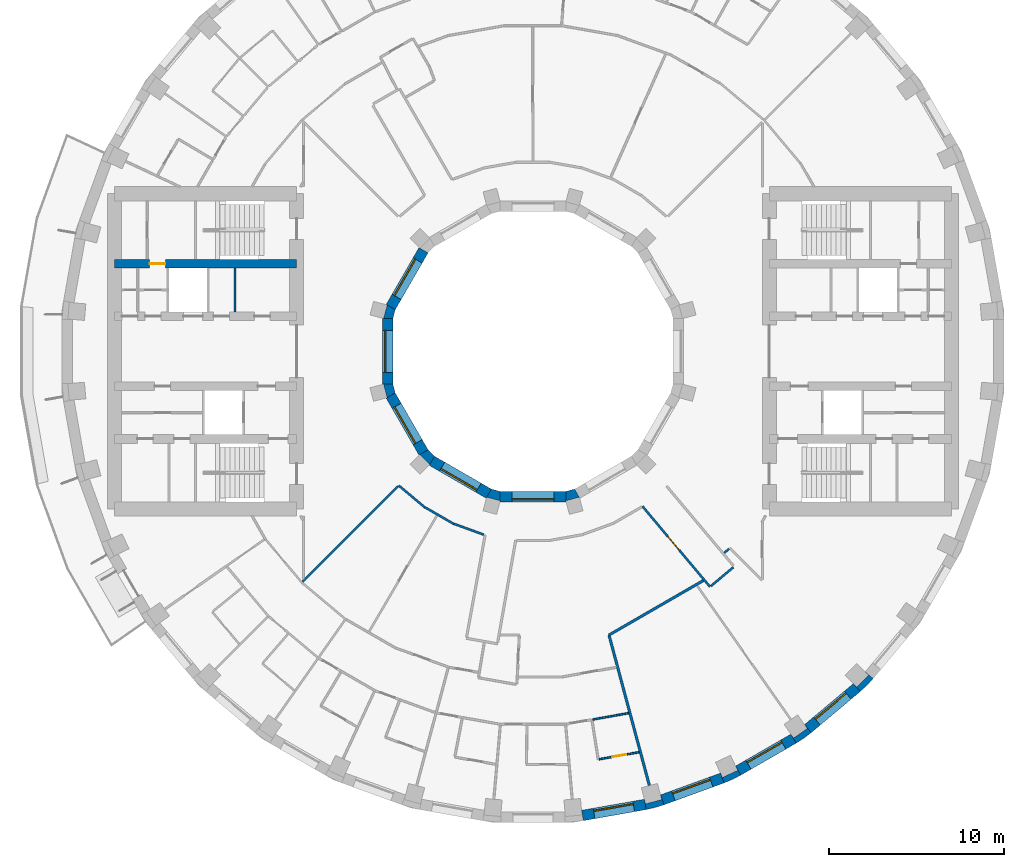
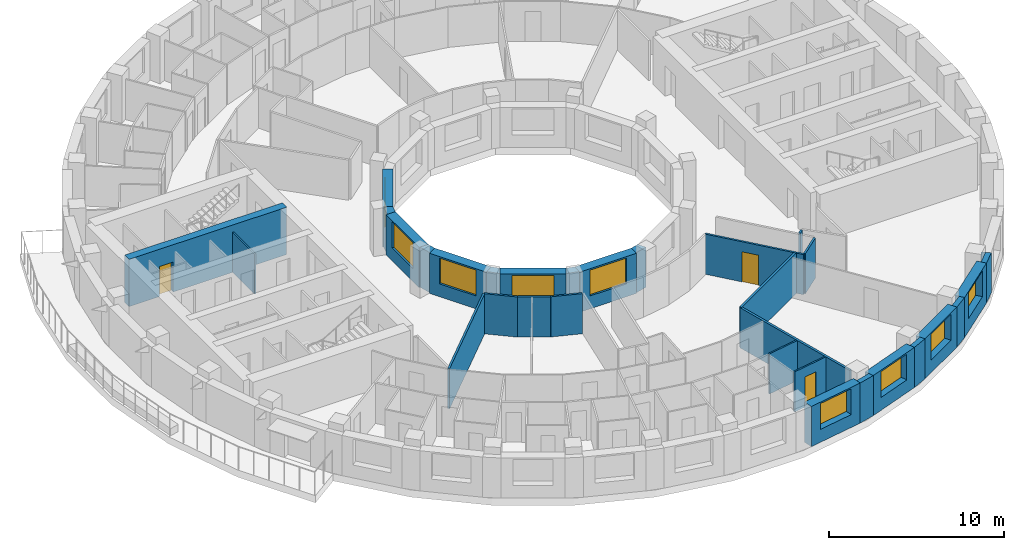
# One storey, part 5 of 12: 31 walls, 9 windows, 3 doors, 12 openings.
"""IFC4 building model written with IfcOpenShell, lengths in metres."""

from ifc_helpers import new_model, si_unit, direction, frame, frame_2d, origin, place, context, subcontext, project, spatial, polyline, rectangle, outline, extrude, material, layer, layer_set, type_object, element, fill, save


model = new_model("IFC4")

# Units and contexts
model_context = context("Model", 3, precision=1e-05, world=origin(), true_north=direction((0.0, 1.0)))
body_context = subcontext(model_context, "Body", "Model", "MODEL_VIEW")
ifc_project = project(units=[si_unit("LENGTHUNIT", "METRE"), si_unit("AREAUNIT", "SQUARE_METRE"), si_unit("VOLUMEUNIT", "CUBIC_METRE"), si_unit("PLANEANGLEUNIT", "RADIAN"), si_unit("MASSUNIT", "GRAM", prefix="KILO")], contexts=[model_context])

# Site, building, storey
site_placement = place(None, origin())
site = spatial("IfcSite", under=ifc_project, at=site_placement, CompositionType="ELEMENT")
building_placement = place(site_placement, origin())
building = spatial("IfcBuilding", under=site, at=building_placement, Name="Saqina Gate Tower", CompositionType="ELEMENT")
storey_placement = place(building_placement, frame((0.0, 0.0, 111.699951171875)))
storey = spatial("IfcBuildingStorey", under=building, at=storey_placement, Name="L31", CompositionType="ELEMENT", Elevation=111.699951171875)

# Walls
ifc_material_1 = material(Name="Brick masonry (buff)", Category="masonry")
wall_type_1 = type_object("IfcWallType", Name="BRICK PIER COPING BUFF", PredefinedType="SOLIDWALL", material=ifc_material_1)
wall_1_placement = place(storey_placement, origin())
element("IfcWall", 1, at=wall_1_placement, inside=storey, type_object=wall_type_1, Name="Pier cap L31 column 29", PredefinedType="SOLIDWALL", context=body_context, shape_type="SweptSolid", body=[
    extrude(outline(polyline([(6.466796875, -26.171875), (7.485595703125, -25.89892578125), (7.2802734375, -25.335205078125), (7.349853515625, -25.5947265625), (6.43212890625, -25.8408203125), (6.36279296875, -25.5810546875), (6.466796875, -26.171875)])), origin(), (0.0, 0.0, 1.0), 2.800048828125),
])
wall_2_placement = place(storey_placement, origin())
element("IfcWall", 2, at=wall_2_placement, inside=storey, type_object=wall_type_1, Name="Pier cap L31 column 30", PredefinedType="SOLIDWALL", context=body_context, shape_type="SweptSolid", body=[
    extrude(outline(polyline([(10.913330078125, -24.6513671875), (11.869140625, -24.205810546875), (11.569091796875, -23.68603515625), (11.6826171875, -23.9296875), (10.82177734375, -24.331298828125), (10.7080078125, -24.08740234375), (10.913330078125, -24.6513671875)])), origin(), (0.0, 0.0, 1.0), 2.800048828125),
])
wall_3_placement = place(storey_placement, origin())
element("IfcWall", 3, at=wall_3_placement, inside=storey, type_object=wall_type_1, Name="Pier cap L31 column 31", PredefinedType="SOLIDWALL", context=body_context, shape_type="SweptSolid", body=[
    extrude(outline(polyline([(15.89208984375, -21.77685546875), (15.50634765625, -21.317138671875), (15.66064453125, -21.53759765625), (14.88232421875, -22.08251953125), (14.728271484375, -21.862060546875), (15.0283203125, -22.3818359375), (15.89208984375, -21.77685546875)])), origin(), (0.0, 0.0, 1.0), 2.800048828125),
])
wall_4_placement = place(storey_placement, origin())
element("IfcWall", 4, at=wall_4_placement, inside=storey, type_object=wall_type_1, Name="Pier cap L31 column 32", PredefinedType="SOLIDWALL", context=body_context, shape_type="SweptSolid", body=[
    extrude(outline(polyline([(18.686279296875, -19.43212890625), (19.43212890625, -18.686279296875), (18.972412109375, -18.30078125), (19.16259765625, -18.49072265625), (18.49072265625, -19.16259765625), (18.30078125, -18.972412109375), (18.686279296875, -19.43212890625)])), origin(), (0.0, 0.0, 1.0), 2.800048828125),
])
ifc_material_2 = material(Name="Gypsum board on steel studs", Category="steel")
ifc_layer_1 = layer(ifc_material_2, 0.10009765625)
ifc_layer_set_1 = layer_set([ifc_layer_1], Name="CORE PARTITION")
wall_type_2 = type_object("IfcWallType", Name="CORE PARTITION", PredefinedType="PARTITIONING", material=ifc_layer_set_1)
wall_5_placement = place(storey_placement, frame((-17.022216796875, 2.25, 0.0), z_axis=(0.0, 0.0, 1.0), x_axis=(0.0, 1.0, 0.0)))
element("IfcWall", 5, at=wall_5_placement, inside=storey, type_object=wall_type_2, Name="L31-CP-W01", PredefinedType="PARTITIONING", context=body_context, shape_type="SweptSolid", body=[
    extrude(rectangle(XDim=2.5, YDim=0.10009765625, at=frame_2d((1.25, 0.0))), origin(), (0.0, 0.0, 1.0), 2.800048828125),
])

# Wall, opening, window
ifc_material_3 = material(Name="Brick masonry (buff)", Category="masonry")
ifc_layer_2 = layer(ifc_material_3, 0.60009765625)
ifc_layer_set_2 = layer_set([ifc_layer_2], Name="FW-BRICK-BUFF")
wall_type_3 = type_object("IfcWallType", Name="FW-BRICK-BUFF", PredefinedType="SOLIDWALL", material=ifc_layer_set_2)
wall_6_placement = place(storey_placement, frame((2.822265625, -26.510009765625, 0.0), z_axis=(0.0, 0.0, 1.0), x_axis=(0.984803764455, 0.173670796382, 0.0)))
wall_6 = element("IfcWall", 6, at=wall_6_placement, inside=storey, type_object=wall_type_3, Name="Facade wall L31 facet 28", PredefinedType="SOLIDWALL", context=body_context, shape_type="SweptSolid", body=[
    extrude(rectangle(XDim=3.64794921875, YDim=0.60009765625, at=frame_2d((1.823974609375, 0.0))), origin(), (0.0, 0.0, 1.0), 2.800048828125),
])
opening_1_placement = place(wall_6_placement, frame((0.673828125, 0.0, 0.89990234375)))
opening_1 = element("IfcOpeningElement", 7, at=opening_1_placement, cuts=wall_6, Name="Opening G09-W20", PredefinedType="OPENING", context=body_context, shape_type="SweptSolid", body=[
    extrude(rectangle(XDim=2.300048828125, YDim=1.800048828125, at=frame_2d((1.14990234375, 0.89990234375))), frame((0.0, 0.31201171875, 0.0), z_axis=(0.0, -1.0, 0.0), x_axis=(1.0, 0.0, 0.0)), (0.0, 0.0, 1.0), 0.6240234375),
])
ifc_material_4 = material(Name="Aluminium glazing", Category="aluminium")
window_type_1 = type_object("IfcWindowType", Name="WN-B", PartitioningType="SINGLE_PANEL", PredefinedType="WINDOW", material=ifc_material_4)
window_1_placement = place(opening_1_placement, origin())
window_1 = element("IfcWindow", 8, at=window_1_placement, inside=storey, type_object=window_type_1, Name="Window L31 facet 28", OverallHeight=1.800048828125, OverallWidth=2.300048828125, PartitioningType="SINGLE_PANEL", PredefinedType="WINDOW", context=body_context, shape_type="SweptSolid", body=[
    extrude(rectangle(XDim=2.300048828125, YDim=1.800048828125, at=frame_2d((1.14990234375, 0.89990234375))), frame((0.0, 0.179931640625, 0.0), z_axis=(0.0, -1.0, 0.0), x_axis=(1.0, 0.0, 0.0)), (0.0, 0.0, 1.0), 0.06005859375),
])
fill(opening_1, window_1)

wall_7_placement = place(storey_placement, frame((7.3828125, -25.616943359375, 0.0), z_axis=(0.0, 0.0, 1.0), x_axis=(0.939703505393, 0.341990236633, 0.0)))
wall_7 = element("IfcWall", 9, at=wall_7_placement, inside=storey, type_object=wall_type_3, Name="Facade wall L31 facet 29", PredefinedType="SOLIDWALL", context=body_context, shape_type="SweptSolid", body=[
    extrude(rectangle(XDim=3.64794921875, YDim=0.60009765625, at=frame_2d((1.823974609375, 0.0))), origin(), (0.0, 0.0, 1.0), 2.800048828125),
])
opening_2_placement = place(wall_7_placement, frame((0.673828125, 0.0, 0.89990234375)))
opening_2 = element("IfcOpeningElement", 10, at=opening_2_placement, cuts=wall_7, Name="Opening G09-W21", PredefinedType="OPENING", context=body_context, shape_type="SweptSolid", body=[
    extrude(rectangle(XDim=2.300048828125, YDim=1.800048828125, at=frame_2d((1.14990234375, 0.89990234375))), frame((0.0, 0.31201171875, 0.0), z_axis=(0.0, -1.0, 0.0), x_axis=(1.0, 0.0, 0.0)), (0.0, 0.0, 1.0), 0.6240234375),
])
window_2_placement = place(opening_2_placement, origin())
window_2 = element("IfcWindow", 11, at=window_2_placement, inside=storey, type_object=window_type_1, Name="Window L31 facet 29", OverallHeight=1.800048828125, OverallWidth=2.300048828125, PartitioningType="SINGLE_PANEL", PredefinedType="WINDOW", context=body_context, shape_type="SweptSolid", body=[
    extrude(rectangle(XDim=2.300048828125, YDim=1.800048828125, at=frame_2d((1.14990234375, 0.89990234375))), frame((0.0, 0.179931640625, 0.0), z_axis=(0.0, -1.0, 0.0), x_axis=(1.0, 0.0, 0.0)), (0.0, 0.0, 1.0), 0.06005859375),
])
fill(opening_2, window_2)

wall_8_placement = place(storey_placement, frame((11.718994140625, -23.94580078125, 0.0), z_axis=(0.0, 0.0, 1.0), x_axis=(0.866051847062, 0.499954196102, 0.0)))
wall_8 = element("IfcWall", 12, at=wall_8_placement, inside=storey, type_object=wall_type_3, Name="Facade wall L31 facet 30", PredefinedType="SOLIDWALL", context=body_context, shape_type="SweptSolid", body=[
    extrude(rectangle(XDim=3.647705078125, YDim=0.60009765625, at=frame_2d((1.82373046875, 0.0))), origin(), (0.0, 0.0, 1.0), 2.800048828125),
])
opening_3_placement = place(wall_8_placement, frame((0.673828125, 0.0, 0.89990234375)))
opening_3 = element("IfcOpeningElement", 13, at=opening_3_placement, cuts=wall_8, Name="Opening G09-W22", PredefinedType="OPENING", context=body_context, shape_type="SweptSolid", body=[
    extrude(rectangle(XDim=2.300048828125, YDim=1.800048828125, at=frame_2d((1.14990234375, 0.89990234375))), frame((0.0, 0.31201171875, 0.0), z_axis=(0.0, -1.0, 0.0), x_axis=(1.0, 0.0, 0.0)), (0.0, 0.0, 1.0), 0.6240234375),
])
window_3_placement = place(opening_3_placement, origin())
window_3 = element("IfcWindow", 14, at=window_3_placement, inside=storey, type_object=window_type_1, Name="Window L31 facet 30", OverallHeight=1.800048828125, OverallWidth=2.300048828125, PartitioningType="SINGLE_PANEL", PredefinedType="WINDOW", context=body_context, shape_type="SweptSolid", body=[
    extrude(rectangle(XDim=2.300048828125, YDim=1.800048828125, at=frame_2d((1.14990234375, 0.89990234375))), frame((0.0, 0.179931640625, 0.0), z_axis=(0.0, -1.0, 0.0), x_axis=(1.0, 0.0, 0.0)), (0.0, 0.0, 1.0), 0.06005859375),
])
fill(opening_3, window_3)

wall_9_placement = place(storey_placement, frame((15.69921875, -21.547119140625, 0.0), z_axis=(0.0, 0.0, 1.0), x_axis=(0.766055462616, 0.642774476932, 0.0)))
wall_9 = element("IfcWall", 15, at=wall_9_placement, inside=storey, type_object=wall_type_3, Name="Facade wall L31 facet 31", PredefinedType="SOLIDWALL", context=body_context, shape_type="SweptSolid", body=[
    extrude(rectangle(XDim=3.647705078125, YDim=0.60009765625, at=frame_2d((1.82373046875, 0.0))), origin(), (0.0, 0.0, 1.0), 2.800048828125),
])
opening_4_placement = place(wall_9_placement, frame((0.673828125, 0.0, 0.89990234375)))
opening_4 = element("IfcOpeningElement", 16, at=opening_4_placement, cuts=wall_9, Name="Opening G09-W23", PredefinedType="OPENING", context=body_context, shape_type="SweptSolid", body=[
    extrude(rectangle(XDim=2.300048828125, YDim=1.800048828125, at=frame_2d((1.14990234375, 0.89990234375))), frame((0.0, 0.31201171875, 0.0), z_axis=(0.0, -1.0, 0.0), x_axis=(1.0, 0.0, 0.0)), (0.0, 0.0, 1.0), 0.6240234375),
])
window_4_placement = place(opening_4_placement, origin())
window_4 = element("IfcWindow", 17, at=window_4_placement, inside=storey, type_object=window_type_1, Name="Window L31 facet 31", OverallHeight=1.800048828125, OverallWidth=2.300048828125, PartitioningType="SINGLE_PANEL", PredefinedType="WINDOW", context=body_context, shape_type="SweptSolid", body=[
    extrude(rectangle(XDim=2.300048828125, YDim=1.800048828125, at=frame_2d((1.14990234375, 0.89990234375))), frame((0.0, 0.179931640625, 0.0), z_axis=(0.0, -1.0, 0.0), x_axis=(1.0, 0.0, 0.0)), (0.0, 0.0, 1.0), 0.06005859375),
])
fill(opening_4, window_4)

ifc_material_5 = material(Name="Glazed ceramic tile", Category="ceramic")
ifc_layer_3 = layer(ifc_material_5, 0.60009765625)
ifc_layer_set_3 = layer_set([ifc_layer_3], Name="IW-TILE")
wall_type_4 = type_object("IfcWallType", Name="IW-TILE", PredefinedType="SOLIDWALL", material=ifc_layer_set_3)
wall_10_placement = place(storey_placement, frame((-6.251220703125, 5.772705078125, 0.0), z_axis=(0.0, 0.0, 1.0), x_axis=(-0.499964958637, -0.86604563398, 0.0)))
wall_10 = element("IfcWall", 18, at=wall_10_placement, inside=storey, type_object=wall_type_4, Name="Well wall L31 facet 5", PredefinedType="SOLIDWALL", context=body_context, shape_type="SweptSolid", body=[
    extrude(rectangle(XDim=3.747314453125, YDim=0.60009765625, at=frame_2d((1.87353515625, 0.0))), origin(), (0.0, 0.0, 1.0), 2.800048828125),
])
opening_5_placement = place(wall_10_placement, frame((0.673583984375, 0.0, 0.89990234375)))
opening_5 = element("IfcOpeningElement", 19, at=opening_5_placement, cuts=wall_10, Name="Opening G09-W30", PredefinedType="OPENING", context=body_context, shape_type="SweptSolid", body=[
    extrude(rectangle(XDim=2.39990234375, YDim=1.800048828125, at=frame_2d((1.199951171875, 0.89990234375))), frame((0.0, 0.31201171875, 0.0), z_axis=(0.0, -1.0, 0.0), x_axis=(1.0, 0.0, 0.0)), (0.0, 0.0, 1.0), 0.6240234375),
])
ifc_material_6 = material(Name="Aluminium glazing", Category="aluminium")
window_type_2 = type_object("IfcWindowType", Name="WN-W", PartitioningType="SINGLE_PANEL", PredefinedType="WINDOW", material=ifc_material_6)
window_5_placement = place(opening_5_placement, origin())
window_5 = element("IfcWindow", 20, at=window_5_placement, inside=storey, type_object=window_type_2, Name="Well window L31 facet 5", OverallHeight=1.800048828125, OverallWidth=2.39990234375, PartitioningType="SINGLE_PANEL", PredefinedType="WINDOW", context=body_context, shape_type="SweptSolid", body=[
    extrude(rectangle(XDim=2.39990234375, YDim=1.800048828125, at=frame_2d((1.199951171875, 0.89990234375))), frame((0.0, -0.119873046875, 0.0), z_axis=(0.0, -1.0, 0.0), x_axis=(1.0, 0.0, 0.0)), (0.0, 0.0, 1.0), 0.06005859375),
])
fill(opening_5, window_5)

wall_11_placement = place(storey_placement, frame((-8.300048828125, 1.873779296875, 0.0), z_axis=(0.0, 0.0, 1.0), x_axis=(0.0, -1.0, 0.0)))
wall_11 = element("IfcWall", 21, at=wall_11_placement, inside=storey, type_object=wall_type_4, Name="Well wall L31 facet 6", PredefinedType="SOLIDWALL", context=body_context, shape_type="SweptSolid", body=[
    extrude(rectangle(XDim=3.74755859375, YDim=0.60009765625, at=frame_2d((1.873779296875, 0.0))), origin(), (0.0, 0.0, 1.0), 2.800048828125),
])
opening_6_placement = place(wall_11_placement, frame((0.673583984375, 0.0, 0.89990234375)))
opening_6 = element("IfcOpeningElement", 22, at=opening_6_placement, cuts=wall_11, Name="Opening G09-W31", PredefinedType="OPENING", context=body_context, shape_type="SweptSolid", body=[
    extrude(rectangle(XDim=2.39990234375, YDim=1.800048828125, at=frame_2d((1.199951171875, 0.89990234375))), frame((0.0, 0.31201171875, 0.0), z_axis=(0.0, -1.0, 0.0), x_axis=(1.0, 0.0, 0.0)), (0.0, 0.0, 1.0), 0.6240234375),
])
window_6_placement = place(opening_6_placement, origin())
window_6 = element("IfcWindow", 23, at=window_6_placement, inside=storey, type_object=window_type_2, Name="Well window L31 facet 6", OverallHeight=1.800048828125, OverallWidth=2.39990234375, PartitioningType="SINGLE_PANEL", PredefinedType="WINDOW", context=body_context, shape_type="SweptSolid", body=[
    extrude(rectangle(XDim=2.39990234375, YDim=1.800048828125, at=frame_2d((1.199951171875, 0.89990234375))), frame((0.0, -0.119873046875, 0.0), z_axis=(0.0, -1.0, 0.0), x_axis=(1.0, 0.0, 0.0)), (0.0, 0.0, 1.0), 0.06005859375),
])
fill(opening_6, window_6)

wall_12_placement = place(storey_placement, frame((-8.124755859375, -2.52734375, 0.0), z_axis=(0.0, 0.0, 1.0), x_axis=(0.499964958637, -0.86604563398, 0.0)))
wall_12 = element("IfcWall", 24, at=wall_12_placement, inside=storey, type_object=wall_type_4, Name="Well wall L31 facet 7", PredefinedType="SOLIDWALL", context=body_context, shape_type="SweptSolid", body=[
    extrude(rectangle(XDim=3.747314453125, YDim=0.60009765625, at=frame_2d((1.87353515625, 0.0))), origin(), (0.0, 0.0, 1.0), 2.800048828125),
])
opening_7_placement = place(wall_12_placement, frame((0.673583984375, 0.0, 0.89990234375)))
opening_7 = element("IfcOpeningElement", 25, at=opening_7_placement, cuts=wall_12, Name="Opening G09-W32", PredefinedType="OPENING", context=body_context, shape_type="SweptSolid", body=[
    extrude(rectangle(XDim=2.39990234375, YDim=1.800048828125, at=frame_2d((1.199951171875, 0.89990234375))), frame((0.0, 0.31201171875, 0.0), z_axis=(0.0, -1.0, 0.0), x_axis=(1.0, 0.0, 0.0)), (0.0, 0.0, 1.0), 0.6240234375),
])
window_7_placement = place(opening_7_placement, origin())
window_7 = element("IfcWindow", 26, at=window_7_placement, inside=storey, type_object=window_type_2, Name="Well window L31 facet 7", OverallHeight=1.800048828125, OverallWidth=2.39990234375, PartitioningType="SINGLE_PANEL", PredefinedType="WINDOW", context=body_context, shape_type="SweptSolid", body=[
    extrude(rectangle(XDim=2.39990234375, YDim=1.800048828125, at=frame_2d((1.199951171875, 0.89990234375))), frame((0.0, -0.119873046875, 0.0), z_axis=(0.0, -1.0, 0.0), x_axis=(1.0, 0.0, 0.0)), (0.0, 0.0, 1.0), 0.06005859375),
])
fill(opening_7, window_7)

wall_13_placement = place(storey_placement, frame((-5.772705078125, -6.251220703125, 0.0), z_axis=(0.0, 0.0, 1.0), x_axis=(0.86604563398, -0.499964958637, 0.0)))
wall_13 = element("IfcWall", 27, at=wall_13_placement, inside=storey, type_object=wall_type_4, Name="Well wall L31 facet 8", PredefinedType="SOLIDWALL", context=body_context, shape_type="SweptSolid", body=[
    extrude(rectangle(XDim=3.747314453125, YDim=0.60009765625, at=frame_2d((1.87353515625, 0.0))), origin(), (0.0, 0.0, 1.0), 2.800048828125),
])
opening_8_placement = place(wall_13_placement, frame((0.673583984375, 0.0, 0.89990234375)))
opening_8 = element("IfcOpeningElement", 28, at=opening_8_placement, cuts=wall_13, Name="Opening G09-W33", PredefinedType="OPENING", context=body_context, shape_type="SweptSolid", body=[
    extrude(rectangle(XDim=2.39990234375, YDim=1.800048828125, at=frame_2d((1.199951171875, 0.89990234375))), frame((0.0, 0.31201171875, 0.0), z_axis=(0.0, -1.0, 0.0), x_axis=(1.0, 0.0, 0.0)), (0.0, 0.0, 1.0), 0.6240234375),
])
window_8_placement = place(opening_8_placement, origin())
window_8 = element("IfcWindow", 29, at=window_8_placement, inside=storey, type_object=window_type_2, Name="Well window L31 facet 8", OverallHeight=1.800048828125, OverallWidth=2.39990234375, PartitioningType="SINGLE_PANEL", PredefinedType="WINDOW", context=body_context, shape_type="SweptSolid", body=[
    extrude(rectangle(XDim=2.39990234375, YDim=1.800048828125, at=frame_2d((1.199951171875, 0.89990234375))), frame((0.0, -0.119873046875, 0.0), z_axis=(0.0, -1.0, 0.0), x_axis=(1.0, 0.0, 0.0)), (0.0, 0.0, 1.0), 0.06005859375),
])
fill(opening_8, window_8)

wall_14_placement = place(storey_placement, frame((-1.873779296875, -8.300048828125, 0.0), z_axis=(0.0, 0.0, 1.0), x_axis=(1.0, 0.0, 0.0)))
wall_14 = element("IfcWall", 30, at=wall_14_placement, inside=storey, type_object=wall_type_4, Name="Well wall L31 facet 9", PredefinedType="SOLIDWALL", context=body_context, shape_type="SweptSolid", body=[
    extrude(rectangle(XDim=3.74755859375, YDim=0.60009765625, at=frame_2d((1.873779296875, 0.0))), origin(), (0.0, 0.0, 1.0), 2.800048828125),
])
opening_9_placement = place(wall_14_placement, frame((0.673583984375, 0.0, 0.89990234375)))
opening_9 = element("IfcOpeningElement", 31, at=opening_9_placement, cuts=wall_14, Name="Opening G09-W34", PredefinedType="OPENING", context=body_context, shape_type="SweptSolid", body=[
    extrude(rectangle(XDim=2.39990234375, YDim=1.800048828125, at=frame_2d((1.199951171875, 0.89990234375))), frame((0.0, 0.31201171875, 0.0), z_axis=(0.0, -1.0, 0.0), x_axis=(1.0, 0.0, 0.0)), (0.0, 0.0, 1.0), 0.6240234375),
])
window_9_placement = place(opening_9_placement, origin())
window_9 = element("IfcWindow", 32, at=window_9_placement, inside=storey, type_object=window_type_2, Name="Well window L31 facet 9", OverallHeight=1.800048828125, OverallWidth=2.39990234375, PartitioningType="SINGLE_PANEL", PredefinedType="WINDOW", context=body_context, shape_type="SweptSolid", body=[
    extrude(rectangle(XDim=2.39990234375, YDim=1.800048828125, at=frame_2d((1.199951171875, 0.89990234375))), frame((0.0, -0.119873046875, 0.0), z_axis=(0.0, -1.0, 0.0), x_axis=(1.0, 0.0, 0.0)), (0.0, 0.0, 1.0), 0.06005859375),
])
fill(opening_9, window_9)

# Wall, opening, door
ifc_material_7 = material(Name="Gypsum board on steel studs, 100 mm", Category="steel")
ifc_layer_4 = layer(ifc_material_7, 0.10009765625)
ifc_layer_set_4 = layer_set([ifc_layer_4], Name="PARTITION 100")
wall_type_5 = type_object("IfcWallType", Name="PARTITION 100", PredefinedType="PARTITIONING", material=ifc_layer_set_4)
wall_15_placement = place(storey_placement, frame((3.774169921875, -23.29541015625, 0.0), z_axis=(0.0, 0.0, 1.0), x_axis=(0.984822762683, 0.173563032072, 0.0)))
wall_15 = element("IfcWall", 33, at=wall_15_placement, inside=storey, type_object=wall_type_5, Name="PARTITION PW3-58", PredefinedType="PARTITIONING", context=body_context, shape_type="SweptSolid", body=[
    extrude(rectangle(XDim=2.318115234375, YDim=0.10009765625, at=frame_2d((1.1591796875, 0.0))), origin(), (0.0, 0.0, 1.0), 2.800048828125),
])
opening_10_placement = place(wall_15_placement, frame((0.771484375, 0.0, 0.0)))
opening_10 = element("IfcOpeningElement", 34, at=opening_10_placement, cuts=wall_15, Name="Opening G09-D49", PredefinedType="OPENING", context=body_context, shape_type="SweptSolid", body=[
    extrude(rectangle(XDim=0.800048828125, YDim=2.10009765625, at=frame_2d((0.39990234375, 1.050048828125))), frame((0.0, 0.06201171875, 0.0), z_axis=(0.0, -1.0, 0.0), x_axis=(1.0, 0.0, 0.0)), (0.0, 0.0, 1.0), 0.1240234375),
])
ifc_material_8 = material(Name="Timber door leaf, 800 mm", Category="wood")
door_type_1 = type_object("IfcDoorType", Name="DOOR 800 TIMBER", OperationType="SINGLE_SWING_LEFT", PredefinedType="DOOR", material=ifc_material_8)
door_1_placement = place(opening_10_placement, frame((0.800048828125, 0.0, 0.0), z_axis=(0.0, 0.0, 1.0), x_axis=(-1.0, 0.0, 0.0)))
door_1 = element("IfcDoor", 35, at=door_1_placement, inside=storey, type_object=door_type_1, Name="DOOR G09-D49", OperationType="SINGLE_SWING_LEFT", OverallHeight=2.10009765625, OverallWidth=0.800048828125, PredefinedType="DOOR", context=body_context, shape_type="SweptSolid", body=[
    extrude(rectangle(XDim=0.800048828125, YDim=2.10009765625, at=frame_2d((0.39990234375, 1.050048828125))), frame((0.0, 0.02490234375, 0.0), z_axis=(0.0, -1.0, 0.0), x_axis=(1.0, 0.0, 0.0)), (0.0, 0.0, 1.0), 0.050048828125),
])
fill(opening_10, door_1)

# Wall
wall_16_placement = place(storey_placement, frame((3.4111328125, -21.0244140625, 0.0), z_axis=(0.0, 0.0, 1.0), x_axis=(0.984791830212, 0.173738456158, 0.0)))
element("IfcWall", 36, at=wall_16_placement, inside=storey, type_object=wall_type_5, Name="PARTITION PW3-59", PredefinedType="PARTITIONING", context=body_context, shape_type="SweptSolid", body=[
    extrude(rectangle(XDim=2.079833984375, YDim=0.10009765625, at=frame_2d((1.0400390625, 0.0))), origin(), (0.0, 0.0, 1.0), 2.800048828125),
])

# Wall, opening, door
ifc_material_9 = material(Name="Gypsum board on steel studs, 125 mm, fire rated", Category="steel")
ifc_layer_5 = layer(ifc_material_9, 0.125)
ifc_layer_set_5 = layer_set([ifc_layer_5], Name="PARTITION EI 30 125")
wall_type_6 = type_object("IfcWallType", Name="PARTITION EI 30 125", PredefinedType="PARTITIONING", material=ifc_layer_set_5)
wall_17_placement = place(storey_placement, frame((6.2529296875, -8.85205078125, 0.0), z_axis=(0.0, 0.0, 1.0), x_axis=(0.642738639283, -0.766085531499, 0.0)))
wall_17 = element("IfcWall", 37, at=wall_17_placement, inside=storey, type_object=wall_type_6, Name="PARTITION PW1-04", PredefinedType="PARTITIONING", context=body_context, shape_type="SweptSolid", body=[
    extrude(rectangle(XDim=5.999267578125, YDim=0.125, at=frame_2d((2.99951171875, 0.0))), origin(), (0.0, 0.0, 1.0), 2.800048828125),
])
opening_11_placement = place(wall_17_placement, frame((2.244384765625, 0.0, 0.0)))
opening_11 = element("IfcOpeningElement", 38, at=opening_11_placement, cuts=wall_17, Name="Opening G09-D51", PredefinedType="OPENING", context=body_context, shape_type="SweptSolid", body=[
    extrude(rectangle(XDim=1.0, YDim=2.10009765625, at=frame_2d((0.5, 1.050048828125))), frame((0.0, 0.074462890625, 0.0), z_axis=(0.0, -1.0, 0.0), x_axis=(1.0, 0.0, 0.0)), (0.0, 0.0, 1.0), 0.14892578125),
])
ifc_material_10 = material(Name="Fire door leaf EI 30, 1000 mm")
door_type_2 = type_object("IfcDoorType", Name="DOOR 1000 EI 30", OperationType="SINGLE_SWING_LEFT", PredefinedType="DOOR", material=ifc_material_10)
door_2_placement = place(opening_11_placement, frame((1.0, 0.0, 0.0), z_axis=(0.0, 0.0, 1.0), x_axis=(-1.0, 0.0, 0.0)))
door_2 = element("IfcDoor", 39, at=door_2_placement, inside=storey, type_object=door_type_2, Name="DOOR G09-D51", OperationType="SINGLE_SWING_RIGHT", OverallHeight=2.10009765625, OverallWidth=1.0, PredefinedType="DOOR", context=body_context, shape_type="SweptSolid", body=[
    extrude(rectangle(XDim=1.0, YDim=2.10009765625, at=frame_2d((0.5, 1.050048828125))), frame((0.0, 0.02490234375, 0.0), z_axis=(0.0, -1.0, 0.0), x_axis=(1.0, 0.0, 0.0)), (0.0, 0.0, 1.0), 0.050048828125),
])
fill(opening_11, door_2)

# Walls
wall_18_placement = place(storey_placement, frame((-7.6650390625, -7.6640625, 0.0), z_axis=(0.0, 0.0, 1.0), x_axis=(0.766086332365, -0.642737684723, 0.0)))
element("IfcWall", 40, at=wall_18_placement, inside=storey, type_object=wall_type_6, Name="PARTITION PW1-09", PredefinedType="PARTITIONING", context=body_context, shape_type="SweptSolid", body=[
    extrude(rectangle(XDim=1.95361328125, YDim=0.125, at=frame_2d((0.976806640625, 0.0))), origin(), (0.0, 0.0, 1.0), 2.800048828125),
])
wall_19_placement = place(storey_placement, frame((-6.162841796875, -8.91015625, 0.0), z_axis=(0.0, 0.0, 1.0), x_axis=(0.865856369022, -0.500292662572, 0.0)))
element("IfcWall", 41, at=wall_19_placement, inside=storey, type_object=wall_type_6, Name="PARTITION PW1-12", PredefinedType="PARTITIONING", context=body_context, shape_type="SweptSolid", body=[
    extrude(rectangle(XDim=1.889892578125, YDim=0.125, at=frame_2d((0.94482421875, 0.0))), origin(), (0.0, 0.0, 1.0), 2.800048828125),
])
wall_20_placement = place(storey_placement, frame((-4.523193359375, -9.847412109375, 0.0), z_axis=(0.0, 0.0, 1.0), x_axis=(0.939758316357, -0.341839592261, 0.0)))
element("IfcWall", 42, at=wall_20_placement, inside=storey, type_object=wall_type_6, Name="PARTITION PW1-16", PredefinedType="PARTITIONING", context=body_context, shape_type="SweptSolid", body=[
    extrude(rectangle(XDim=1.82763671875, YDim=0.125, at=frame_2d((0.913818359375, 0.0))), origin(), (0.0, 0.0, 1.0), 2.800048828125),
])
wall_21_placement = place(storey_placement, frame((10.156982421875, -13.40771484375, 0.0), z_axis=(0.0, 0.0, 1.0), x_axis=(0.766066523004, 0.642761294986, 0.0)))
element("IfcWall", 43, at=wall_21_placement, inside=storey, type_object=wall_type_6, Name="PARTITION PW1-38", PredefinedType="PARTITIONING", context=body_context, shape_type="SweptSolid", body=[
    extrude(rectangle(XDim=1.675048828125, YDim=0.125, at=frame_2d((0.83740234375, 0.0))), origin(), (0.0, 0.0, 1.0), 2.800048828125),
])
wall_22_placement = place(storey_placement, frame((10.91748046875, -11.513671875, 0.0), z_axis=(0.0, 0.0, 1.0), x_axis=(0.765718201941, 0.643176208527, 0.0)))
element("IfcWall", 44, at=wall_22_placement, inside=storey, type_object=wall_type_6, Name="PARTITION PW1-39", PredefinedType="PARTITIONING", context=body_context, shape_type="SweptSolid", body=[
    extrude(rectangle(XDim=0.360595703125, YDim=0.125, at=frame_2d((0.18017578125, 0.0))), origin(), (0.0, 0.0, 1.0), 2.800048828125),
])
wall_23_placement = place(storey_placement, frame((-13.1669921875, -13.166015625, 0.0), z_axis=(0.0, 0.0, 1.0), x_axis=(0.707391477554, 0.706821970148, 0.0)))
element("IfcWall", 45, at=wall_23_placement, inside=storey, type_object=wall_type_6, Name="PARTITION PW1-42", PredefinedType="PARTITIONING", context=body_context, shape_type="SweptSolid", body=[
    extrude(rectangle(XDim=7.71630859375, YDim=0.125, at=frame_2d((3.858154296875, 0.0))), origin(), (0.0, 0.0, 1.0), 2.800048828125),
])
ifc_material_11 = material(Name="Gypsum board on steel studs, 150 mm, fire rated", Category="steel")
ifc_layer_6 = layer(ifc_material_11, 0.14990234375)
ifc_layer_set_6 = layer_set([ifc_layer_6], Name="PARTITION EI 60 150")
wall_type_7 = type_object("IfcWallType", Name="PARTITION EI 60 150", PredefinedType="PARTITIONING", material=ifc_layer_set_6)
wall_24_placement = place(storey_placement, frame((4.34033203125, -16.2041015625, 0.0), z_axis=(0.0, 0.0, 1.0), x_axis=(0.259146062247, -0.965838142973, 0.0)))
element("IfcWall", 46, at=wall_24_placement, inside=storey, type_object=wall_type_7, Name="PARTITION PW2-01", PredefinedType="PARTITIONING", context=body_context, shape_type="SweptSolid", body=[
    extrude(rectangle(XDim=8.8896484375, YDim=0.14990234375, at=frame_2d((4.44482421875, 0.0))), origin(), (0.0, 0.0, 1.0), 2.800048828125),
])
wall_25_placement = place(storey_placement, frame((4.328125, -16.20751953125, 0.0), z_axis=(0.0, 0.0, 1.0), x_axis=(0.865952126022, 0.500126899334, 0.0)))
element("IfcWall", 47, at=wall_25_placement, inside=storey, type_object=wall_type_7, Name="PARTITION PW2-02", PredefinedType="PARTITIONING", context=body_context, shape_type="SweptSolid", body=[
    extrude(rectangle(XDim=6.2353515625, YDim=0.14990234375, at=frame_2d((3.11767578125, 0.0))), origin(), (0.0, 0.0, 1.0), 2.800048828125),
])

# Wall, opening, door
ifc_material_12 = material(Name="Concrete C70/85", Category="concrete")
ifc_layer_7 = layer(ifc_material_12, 0.5)
ifc_layer_set_7 = layer_set([ifc_layer_7], Name="Concrete C70/85")
wall_type_8 = type_object("IfcWallType", Name="STR-CORE WALL-B-I", PredefinedType="SHEAR", material=ifc_layer_set_7)
wall_26_placement = place(storey_placement, frame((-13.5, 5.0, 0.0), z_axis=(0.0, 0.0, 1.0), x_axis=(-1.0, 0.0, 0.0)))
wall_26 = element("IfcWall", 48, at=wall_26_placement, inside=storey, type_object=wall_type_8, Name="CORE WALL L31 W-X1", PredefinedType="SHEAR", context=body_context, shape_type="SweptSolid", body=[
    extrude(rectangle(XDim=10.39990234375, YDim=0.5, at=frame_2d((5.199951171875, 0.0))), origin(), (0.0, 0.0, 1.0), 3.300048828125),
])
opening_12_placement = place(wall_26_placement, frame((7.488525390625, 0.0, 0.0)))
opening_12 = element("IfcOpeningElement", 49, at=opening_12_placement, cuts=wall_26, Name="Opening G09-D116", PredefinedType="OPENING", context=body_context, shape_type="SweptSolid", body=[
    extrude(rectangle(XDim=0.89990234375, YDim=2.10009765625, at=frame_2d((0.449951171875, 1.050048828125))), frame((0.0, 0.261962890625, 0.0), z_axis=(0.0, -1.0, 0.0), x_axis=(1.0, 0.0, 0.0)), (0.0, 0.0, 1.0), 0.52392578125),
])
ifc_material_13 = material(Name="Steel-framed fire door leaf, EI 60", Category="steel")
door_type_3 = type_object("IfcDoorType", Name="SERVICE ROOM DOOR 900", OperationType="SINGLE_SWING_LEFT", PredefinedType="DOOR", material=ifc_material_13)
door_3_placement = place(opening_12_placement, frame((0.89990234375, 0.0, 0.0), z_axis=(0.0, 0.0, 1.0), x_axis=(-1.0, 0.0, 0.0)))
door_3 = element("IfcDoor", 50, at=door_3_placement, inside=storey, type_object=door_type_3, Name="L31-CD-W27", OperationType="SINGLE_SWING_LEFT", OverallHeight=2.10009765625, OverallWidth=0.89990234375, PredefinedType="DOOR", context=body_context, shape_type="SweptSolid", body=[
    extrude(rectangle(XDim=0.89990234375, YDim=2.10009765625, at=frame_2d((0.449951171875, 1.050048828125))), frame((0.0, 0.02490234375, 0.0), z_axis=(0.0, -1.0, 0.0), x_axis=(1.0, 0.0, 0.0)), (0.0, 0.0, 1.0), 0.050048828125),
])
fill(opening_12, door_3)

# Walls
ifc_material_14 = material(Name="Glazed ceramic tile", Category="ceramic")
wall_type_9 = type_object("IfcWallType", Name="TILE PIER COPING", PredefinedType="SOLIDWALL", material=ifc_material_14)
wall_27_placement = place(storey_placement, origin())
element("IfcWall", 51, at=wall_27_placement, inside=storey, type_object=wall_type_9, Name="Well pier cap L31 column 6", PredefinedType="SOLIDWALL", context=body_context, shape_type="SweptSolid", body=[
    extrude(outline(polyline([(-8.5380859375, 1.873779296875), (-8.0, 1.873779296875), (-7.864990234375, 2.377197265625), (-8.3310546875, 2.646484375), (-8.5380859375, 1.873779296875)])), origin(), (0.0, 0.0, 1.0), 2.800048828125),
])
wall_28_placement = place(storey_placement, origin())
element("IfcWall", 52, at=wall_28_placement, inside=storey, type_object=wall_type_9, Name="Well pier cap L31 column 7", PredefinedType="SOLIDWALL", context=body_context, shape_type="SweptSolid", body=[
    extrude(outline(polyline([(-8.3310546875, -2.646484375), (-7.864990234375, -2.377197265625), (-8.0, -1.873779296875), (-8.5380859375, -1.873779296875), (-8.3310546875, -2.646484375)])), origin(), (0.0, 0.0, 1.0), 2.800048828125),
])
wall_29_placement = place(storey_placement, origin())
element("IfcWall", 53, at=wall_29_placement, inside=storey, type_object=wall_type_9, Name="Well pier cap L31 column 8", PredefinedType="SOLIDWALL", context=body_context, shape_type="SweptSolid", body=[
    extrude(outline(polyline([(-6.45751953125, -5.891845703125), (-5.891845703125, -6.45751953125), (-5.622802734375, -5.991455078125), (-5.991455078125, -5.622802734375), (-6.45751953125, -5.891845703125)])), origin(), (0.0, 0.0, 1.0), 2.800048828125),
])
wall_30_placement = place(storey_placement, origin())
element("IfcWall", 54, at=wall_30_placement, inside=storey, type_object=wall_type_9, Name="Well pier cap L31 column 9", PredefinedType="SOLIDWALL", context=body_context, shape_type="SweptSolid", body=[
    extrude(outline(polyline([(-1.873779296875, -8.5380859375), (-1.873779296875, -8.0), (-2.377197265625, -7.864990234375), (-2.646484375, -8.3310546875), (-1.873779296875, -8.5380859375)])), origin(), (0.0, 0.0, 1.0), 2.800048828125),
])
wall_31_placement = place(storey_placement, origin())
element("IfcWall", 55, at=wall_31_placement, inside=storey, type_object=wall_type_9, Name="Well pier cap L31 column 10", PredefinedType="SOLIDWALL", context=body_context, shape_type="SweptSolid", body=[
    extrude(outline(polyline([(2.646484375, -8.3310546875), (2.377197265625, -7.864990234375), (1.873779296875, -8.0), (1.873779296875, -8.5380859375), (2.646484375, -8.3310546875)])), origin(), (0.0, 0.0, 1.0), 2.800048828125),
])

save(model, "model.ifc")
